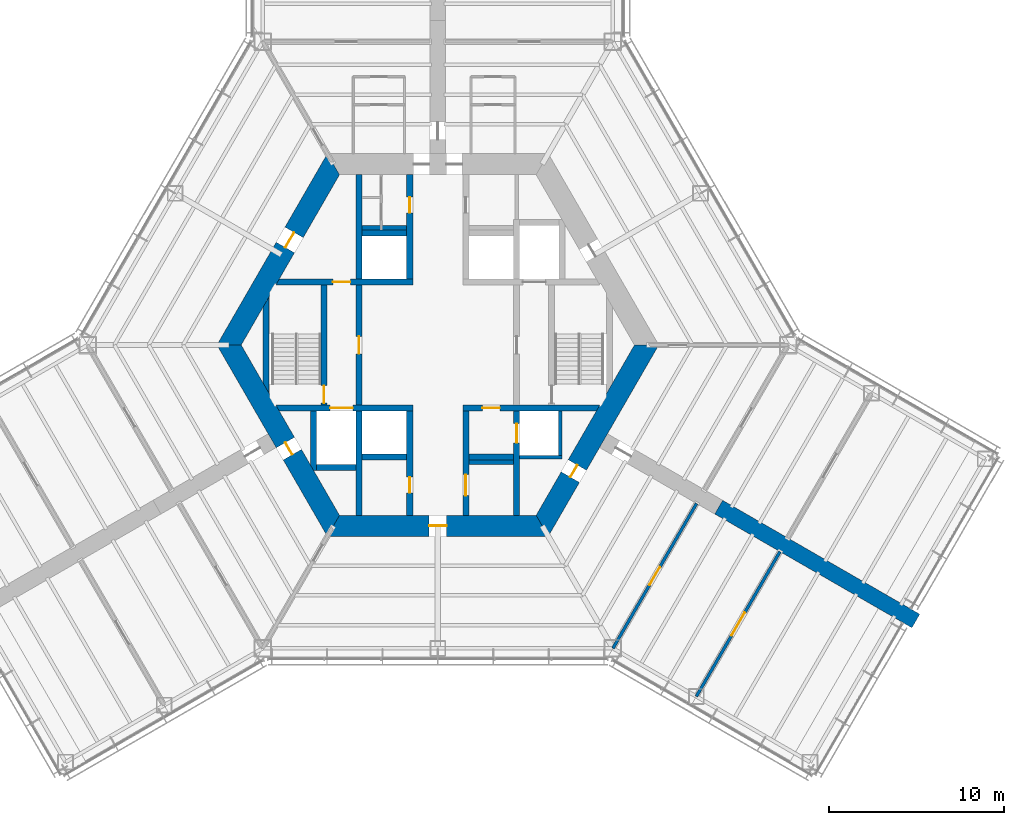
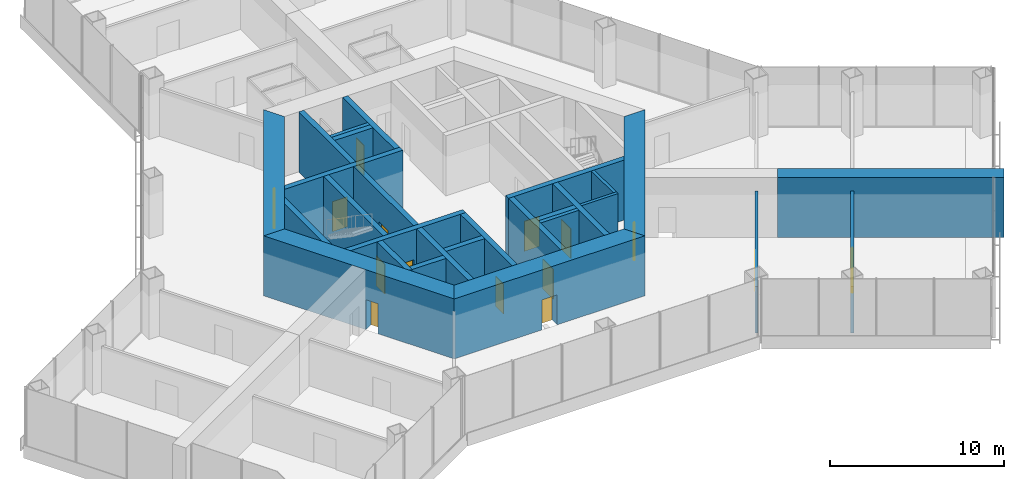
# One storey, part 11 of 15: 28 walls, 15 doors, 15 openings.
"""IFC4 building model written with IfcOpenShell, lengths in metres."""

import ifcopenshell
import ifcopenshell.guid

model = None  # the IFC model being written
_history = None  # IfcOwnerHistory: only IFC2X3 demands one
_inside = {}  # id of a spatial element -> (the spatial element, [elements in it])
_under = {}  # id of a project, library or spatial element -> (it, [spatial elements below it])
_declared = {}  # id of a project -> (the project, [libraries it declares])
_typed = {}  # id of a type object -> (the type object, [elements of that type])
_made_of = {}  # id of a material, layer set ... -> (it, [elements and type objects made of it])


def new_model(schema):
    """Start an empty IFC model of exactly this schema.

    Asked for "IFC4X3", IfcOpenShell would pick the latest addendum, in which some entities
    have other attributes; the version numbers below select the first issue.
    IFC2X3 requires an IfcOwnerHistory on every rooted entity: one is made here for all.
    """
    global model, _history
    if schema == "IFC4X3":
        model = ifcopenshell.file(schema_version=(4, 3, 0, 0))
    else:
        model = ifcopenshell.file(schema=schema)
    _inside.clear()
    _under.clear()
    _declared.clear()
    _typed.clear()
    _made_of.clear()
    _history = None
    if model.schema == "IFC2X3":
        org = make("IfcOrganization", Name="unknown")
        user = make(
            "IfcPersonAndOrganization",
            ThePerson=make("IfcPerson", FamilyName="unknown"),
            TheOrganization=org,
        )
        app = make(
            "IfcApplication",
            ApplicationDeveloper=org,
            Version="unknown",
            ApplicationFullName="unknown",
            ApplicationIdentifier="unknown",
        )
        _history = make(
            "IfcOwnerHistory",
            OwningUser=user,
            OwningApplication=app,
            ChangeAction="ADDED",
            CreationDate=0,
        )
    return model


def make(cls, **values):
    """One entity of the class cls with the attributes given. An attribute that is None is left unset."""
    return model.create_entity(
        cls, **{name: value for name, value in values.items() if value is not None}
    )


def rooted(cls, **values):
    """An entity with a GlobalId (a new one), such as an element, a storey or a relation."""
    return make(cls, GlobalId=ifcopenshell.guid.new(), OwnerHistory=_history, **values)


def si_unit(unit_type, name, prefix=None):
    """IfcSIUnit, for example si_unit("LENGTHUNIT", "METRE", prefix="MILLI")."""
    return make("IfcSIUnit", UnitType=unit_type, Prefix=prefix, Name=name)


def assignment(units):
    """IfcUnitAssignment: the units of a project."""
    return None if units is None else make("IfcUnitAssignment", Units=units)


def point(xyz):
    """IfcCartesianPoint."""
    return None if xyz is None else make("IfcCartesianPoint", Coordinates=xyz)


def direction(xyz):
    """IfcDirection."""
    return None if xyz is None else make("IfcDirection", DirectionRatios=xyz)


def frame(location, z_axis=None, x_axis=None):
    """IfcAxis2Placement3D, a coordinate frame: its origin and axes. An axis left out is left unset."""
    return make(
        "IfcAxis2Placement3D",
        Location=point(location),
        Axis=direction(z_axis),
        RefDirection=direction(x_axis),
    )


def frame_2d(location, x_axis=None):
    """IfcAxis2Placement2D, a coordinate frame in the plane: its origin and x axis."""
    return make(
        "IfcAxis2Placement2D", Location=point(location), RefDirection=direction(x_axis)
    )


def origin():
    """The frame at (0, 0, 0) with its axes left unset."""
    return frame((0.0, 0.0, 0.0))


def place(relative_to, where):
    """IfcLocalPlacement: puts the frame where relative to a parent placement (None: the world)."""
    return make(
        "IfcLocalPlacement", PlacementRelTo=relative_to, RelativePlacement=where
    )


def context(
    kind, dimensions, precision=None, world=None, true_north=None, identifier=None
):
    """IfcGeometricRepresentationContext, for example the 3D "Model" context."""
    return make(
        "IfcGeometricRepresentationContext",
        ContextIdentifier=identifier,
        ContextType=kind,
        CoordinateSpaceDimension=dimensions,
        Precision=precision,
        WorldCoordinateSystem=world,
        TrueNorth=true_north,
    )


def subcontext(parent, identifier, kind, view, scale=None):
    """IfcGeometricRepresentationSubContext, for example "Body" below "Model"."""
    return make(
        "IfcGeometricRepresentationSubContext",
        ContextIdentifier=identifier,
        ContextType=kind,
        ParentContext=parent,
        TargetScale=scale,
        TargetView=view,
    )


def project(units=None, contexts=None):
    """IfcProject with its units and contexts."""
    return rooted(
        "IfcProject",
        Name="project",
        RepresentationContexts=contexts,
        UnitsInContext=assignment(units),
    )


def spatial(cls, under=None, at=None, **own):
    """A site, building, storey or space (cls), placed at a placement, below another one or the project."""
    s = rooted(cls, ObjectPlacement=at, **own)
    if under is not None:
        _under.setdefault(under.id(), (under, []))[1].append(s)
    return s


def polyline(points):
    """IfcPolyline through the points."""
    return make("IfcPolyline", Points=[point(p) for p in points])


def profile(cls, at=None, kind="AREA", **sizes):
    """A parametric profile (cls). Its sizes go by their IFC names, for example OverallWidth=200.0."""
    return make(cls, ProfileType=kind, Position=at, **sizes)


def rectangle(**sizes):
    """IfcRectangleProfileDef."""
    return profile("IfcRectangleProfileDef", **sizes)


def outline(outer, holes=None, kind="AREA"):
    """IfcArbitraryClosedProfileDef: a profile drawn as a closed curve; with holes, ...WithVoids."""
    if holes is None:
        return make("IfcArbitraryClosedProfileDef", ProfileType=kind, OuterCurve=outer)
    return make(
        "IfcArbitraryProfileDefWithVoids",
        ProfileType=kind,
        OuterCurve=outer,
        InnerCurves=holes,
    )


def extrude(swept, where, along, depth):
    """IfcExtrudedAreaSolid: the profile swept, set in the frame where, extruded along a direction by depth."""
    return make(
        "IfcExtrudedAreaSolid",
        SweptArea=swept,
        Position=where,
        ExtrudedDirection=direction(along),
        Depth=depth,
    )


def shape(context_of_items, identifier, shape_type, items):
    """IfcShapeRepresentation: the items that make up one representation, for example the "Body"."""
    return make(
        "IfcShapeRepresentation",
        ContextOfItems=context_of_items,
        RepresentationIdentifier=identifier,
        RepresentationType=shape_type,
        Items=items,
    )


def material(Name=None, Category=None):
    """IfcMaterial."""
    return make("IfcMaterial", Name=Name, Category=Category)


def layer(
    of_material, thickness, ventilated=None, Name=None, Category=None, Priority=None
):
    """IfcMaterialLayer: one layer of a wall or slab, of a material (None: an air gap)."""
    return make(
        "IfcMaterialLayer",
        Material=of_material,
        LayerThickness=thickness,
        IsVentilated=ventilated,
        Name=Name,
        Category=Category,
        Priority=Priority,
    )


def layer_set(layers, Name=None):
    """IfcMaterialLayerSet."""
    return make("IfcMaterialLayerSet", MaterialLayers=layers, LayerSetName=Name)


def made_of(thing, what):
    """Note that an element or type object is made of a material, layer set ...; save() writes the relation."""
    if what is not None:
        _made_of.setdefault(what.id(), (what, []))[1].append(thing)
    return thing


def type_object(cls, material=None, **own):
    """A type object (cls), such as IfcWallType, which elements share."""
    return made_of(rooted(cls, **own), material)


def element(
    cls,
    number,
    at=None,
    inside=None,
    cuts=None,
    type_object=None,
    material=None,
    context=None,
    identifier="Body",
    shape_type=None,
    held_by="IfcProductDefinitionShape",
    body=None,
    shapes=None,
    **own,
):
    """One element of the class cls, such as IfcWall. Its Tag is "e" and its number.

    at: its placement. inside: the storey or other place that contains it. cuts: it is an
    opening in that element (IfcRelVoidsElement). A single representation is given by context,
    identifier, shape_type and body (its items); several are given by shapes. held_by: the class
    of the entity that holds the representations. save() writes the other relations.
    """
    e = rooted(cls, Tag="e%d" % number, ObjectPlacement=at, **own)
    if body is not None:
        shapes = [shape(context, identifier, shape_type, body)]
    if shapes is not None:
        e.Representation = make(held_by, Representations=shapes)
    if inside is not None:
        _inside.setdefault(inside.id(), (inside, []))[1].append(e)
    if cuts is not None:
        rooted(
            "IfcRelVoidsElement", RelatingBuildingElement=cuts, RelatedOpeningElement=e
        )
    if type_object is not None:
        _typed.setdefault(type_object.id(), (type_object, []))[1].append(e)
    return made_of(e, material)


def fill(opening, filler):
    """IfcRelFillsElement: the door or window that sits in an opening."""
    return rooted(
        "IfcRelFillsElement",
        RelatingOpeningElement=opening,
        RelatedBuildingElement=filler,
    )


def aggregate(whole, parts):
    """IfcRelAggregates: a whole, such as a stair, and the parts it consists of."""
    return rooted("IfcRelAggregates", RelatingObject=whole, RelatedObjects=parts)


def save(model, path):
    """Write the relations noted so far, then the file.

    IfcRelAggregates (storeys below a building ...), IfcRelContainedInSpatialStructure (elements
    in a storey), IfcRelDefinesByType, IfcRelAssociatesMaterial and IfcRelDeclares: one each for
    every whole, place, type object, material and project.
    """
    for whole, parts in _under.values():
        aggregate(whole, parts)
    for where, things in _inside.values():
        rooted(
            "IfcRelContainedInSpatialStructure",
            RelatedElements=things,
            RelatingStructure=where,
        )
    for kind, things in _typed.values():
        rooted("IfcRelDefinesByType", RelatedObjects=things, RelatingType=kind)
    for what, things in _made_of.values():
        rooted("IfcRelAssociatesMaterial", RelatedObjects=things, RelatingMaterial=what)
    for by, libraries in _declared.values():
        rooted("IfcRelDeclares", RelatingContext=by, RelatedDefinitions=libraries)
    model.write(path)


model = new_model("IFC4")

# Units and contexts
model_context = context("Model", 3, precision=1e-05, world=origin(), true_north=direction((0.0, 1.0)))
body_context = subcontext(model_context, "Body", "Model", "MODEL_VIEW")
ifc_project = project(units=[si_unit("LENGTHUNIT", "METRE"), si_unit("AREAUNIT", "SQUARE_METRE"), si_unit("VOLUMEUNIT", "CUBIC_METRE"), si_unit("PLANEANGLEUNIT", "RADIAN"), si_unit("MASSUNIT", "GRAM", prefix="KILO")], contexts=[model_context])

# Site, building, storey
site_placement = place(None, origin())
site = spatial("IfcSite", under=ifc_project, at=site_placement, CompositionType="ELEMENT")
building_placement = place(site_placement, origin())
building = spatial("IfcBuilding", under=site, at=building_placement, Name="Kasaneha Research Tower", CompositionType="ELEMENT")
storey_placement = place(building_placement, frame((0.0, 0.0, 31.0)))
storey = spatial("IfcBuildingStorey", under=building, at=storey_placement, Name="L08", CompositionType="ELEMENT", Elevation=31.0)

# Wall, opening, door
ifc_material_1 = material(Name="Concrete Fc100", Category="concrete")
ifc_layer_1 = layer(ifc_material_1, 0.35009765625)
ifc_layer_set_1 = layer_set([ifc_layer_1], Name="Core internal wall 350 Fc100")
wall_type_1 = type_object("IfcWallType", Name="Core internal wall 350 Fc100", PredefinedType="SHEAR", material=ifc_layer_set_1)
wall_1_placement = place(storey_placement, frame((-9.151123046875, 3.60009765625, 0.0), z_axis=(0.0, 0.0, 1.0), x_axis=(1.0, 0.0, 0.0)))
wall_1 = element("IfcWall", 1, at=wall_1_placement, inside=storey, type_object=wall_type_1, Name="Core wall W1W L08", PredefinedType="SHEAR", context=body_context, shape_type="SweptSolid", body=[
    extrude(outline(polyline([(-0.10107421875, -0.175048828125), (3.151123046875, -0.175048828125), (4.151123046875, -0.175048828125), (7.72607421875, -0.175048828125), (7.72607421875, 0.175048828125), (4.151123046875, 0.175048828125), (3.151123046875, 0.175048828125), (0.10107421875, 0.175048828125), (-0.10107421875, -0.175048828125)])), origin(), (0.0, 0.0, 1.0), 4.199951171875),
])
opening_1_placement = place(wall_1_placement, frame((3.151123046875, 0.0, 0.0)))
opening_1 = element("IfcOpeningElement", 2, at=opening_1_placement, cuts=wall_1, Name="Opening L08-D12", PredefinedType="OPENING", context=body_context, shape_type="SweptSolid", body=[
    extrude(rectangle(XDim=1.0, YDim=2.10009765625, at=frame_2d((0.5, 1.050048828125))), frame((0.0, 0.18505859375, 0.0), z_axis=(0.0, -1.0, 0.0), x_axis=(1.0, 0.0, 0.0)), (0.0, 0.0, 1.0), 0.3701171875),
])
ifc_material_2 = material(Name="Steel", Category="steel")
door_type_1 = type_object("IfcDoorType", Name="Specified fire door FD60 1000x2100", OperationType="NOTDEFINED", PredefinedType="DOOR", material=ifc_material_2)
door_1_placement = place(opening_1_placement, origin())
door_1 = element("IfcDoor", 3, at=door_1_placement, inside=storey, type_object=door_type_1, Name="Vestibule to lobby door L08-D12", OperationType="SINGLE_SWING_LEFT", OverallHeight=2.10009765625, OverallWidth=1.0, PredefinedType="DOOR", context=body_context, shape_type="SweptSolid", body=[
    extrude(rectangle(XDim=1.0, YDim=2.10009765625, at=frame_2d((0.5, 1.050048828125))), frame((0.0, 0.02490234375, 0.0), z_axis=(0.0, -1.0, 0.0), x_axis=(1.0, 0.0, 0.0)), (0.0, 0.0, 1.0), 0.050048828125),
])
fill(opening_1, door_1)

wall_2_placement = place(storey_placement, frame((-9.151123046875, -3.60009765625, 0.0), z_axis=(0.0, 0.0, 1.0), x_axis=(1.0, 0.0, 0.0)))
wall_2 = element("IfcWall", 4, at=wall_2_placement, inside=storey, type_object=wall_type_1, Name="Core wall W2W L08", PredefinedType="SHEAR", context=body_context, shape_type="SweptSolid", body=[
    extrude(outline(polyline([(0.10107421875, -0.175048828125), (3.0009765625, -0.175048828125), (4.301025390625, -0.175048828125), (7.72607421875, -0.175048828125), (7.72607421875, 0.175048828125), (4.301025390625, 0.175048828125), (3.0009765625, 0.175048828125), (-0.10107421875, 0.175048828125), (0.10107421875, -0.175048828125)])), origin(), (0.0, 0.0, 1.0), 4.199951171875),
])
opening_2_placement = place(wall_2_placement, frame((3.0009765625, 0.0, 0.0)))
opening_2 = element("IfcOpeningElement", 5, at=opening_2_placement, cuts=wall_2, Name="Opening LD-FL2-L08", PredefinedType="OPENING", context=body_context, shape_type="SweptSolid", body=[
    extrude(rectangle(XDim=1.300048828125, YDim=2.10009765625, at=frame_2d((0.64990234375, 1.050048828125))), frame((0.0, 0.18505859375, 0.0), z_axis=(0.0, -1.0, 0.0), x_axis=(1.0, 0.0, 0.0)), (0.0, 0.0, 1.0), 0.3701171875),
])
ifc_material_3 = material(Name="Steel", Category="steel")
door_type_2 = type_object("IfcDoorType", Name="Lift landing door 1300x2100", OperationType="DOUBLE_DOOR_SLIDING", PredefinedType="DOOR", material=ifc_material_3)
door_2_placement = place(opening_2_placement, origin())
door_2 = element("IfcDoor", 6, at=door_2_placement, inside=storey, type_object=door_type_2, Name="Landing door FL2 LD-FL2-L08", OperationType="DOUBLE_DOOR_SLIDING", OverallHeight=2.10009765625, OverallWidth=1.300048828125, PredefinedType="DOOR", context=body_context, shape_type="SweptSolid", body=[
    extrude(rectangle(XDim=1.300048828125, YDim=2.10009765625, at=frame_2d((0.64990234375, 1.050048828125))), frame((0.0, 0.02490234375, 0.0), z_axis=(0.0, -1.0, 0.0), x_axis=(1.0, 0.0, 0.0)), (0.0, 0.0, 1.0), 0.050048828125),
])
fill(opening_2, door_2)

wall_3_placement = place(storey_placement, frame((1.425048828125, -3.60009765625, 0.0), z_axis=(0.0, 0.0, 1.0), x_axis=(1.0, 0.0, 0.0)))
wall_3 = element("IfcWall", 7, at=wall_3_placement, inside=storey, type_object=wall_type_1, Name="Core wall W2E L08", PredefinedType="SHEAR", context=body_context, shape_type="SweptSolid", body=[
    extrude(outline(polyline([(0.0, -0.175048828125), (1.125, -0.175048828125), (2.125, -0.175048828125), (7.625, -0.175048828125), (7.8271484375, 0.175048828125), (2.125, 0.175048828125), (1.125, 0.175048828125), (0.0, 0.175048828125), (0.0, -0.175048828125)])), origin(), (0.0, 0.0, 1.0), 4.199951171875),
])
opening_3_placement = place(wall_3_placement, frame((1.125, 0.0, 0.0)))
opening_3 = element("IfcOpeningElement", 8, at=opening_3_placement, cuts=wall_3, Name="Opening L08-LV", PredefinedType="OPENING", context=body_context, shape_type="SweptSolid", body=[
    extrude(rectangle(XDim=1.0, YDim=2.10009765625, at=frame_2d((0.5, 1.050048828125))), frame((0.0, 0.18505859375, 0.0), z_axis=(0.0, -1.0, 0.0), x_axis=(1.0, 0.0, 0.0)), (0.0, 0.0, 1.0), 0.3701171875),
])
door_3_placement = place(opening_3_placement, origin())
door_3 = element("IfcDoor", 9, at=door_3_placement, inside=storey, type_object=door_type_1, Name="Podium vestibule door L08-LV", OperationType="SINGLE_SWING_LEFT", OverallHeight=2.10009765625, OverallWidth=1.0, PredefinedType="DOOR", context=body_context, shape_type="SweptSolid", body=[
    extrude(rectangle(XDim=1.0, YDim=2.10009765625, at=frame_2d((0.5, 1.050048828125))), frame((0.0, 0.02490234375, 0.0), z_axis=(0.0, -1.0, 0.0), x_axis=(1.0, 0.0, 0.0)), (0.0, 0.0, 1.0), 0.050048828125),
])
fill(opening_3, door_3)

wall_4_placement = place(storey_placement, frame((-1.60009765625, 3.77490234375, 0.0), z_axis=(0.0, 0.0, 1.0), x_axis=(0.0, 1.0, 0.0)))
wall_4 = element("IfcWall", 10, at=wall_4_placement, inside=storey, type_object=wall_type_1, Name="Core wall CNW L08", PredefinedType="SHEAR", context=body_context, shape_type="SweptSolid", body=[
    extrude(rectangle(XDim=5.9501953125, YDim=0.35009765625, at=frame_2d((2.97509765625, 0.0))), origin(), (0.0, 0.0, 1.0), 4.199951171875),
])
opening_4_placement = place(wall_4_placement, frame((3.77490234375, 0.0, 0.0)))
opening_4 = element("IfcOpeningElement", 11, at=opening_4_placement, cuts=wall_4, Name="Opening L08-D13", PredefinedType="OPENING", context=body_context, shape_type="SweptSolid", body=[
    extrude(rectangle(XDim=0.89990234375, YDim=2.10009765625, at=frame_2d((0.449951171875, 1.050048828125))), frame((0.0, 0.18505859375, 0.0), z_axis=(0.0, -1.0, 0.0), x_axis=(1.0, 0.0, 0.0)), (0.0, 0.0, 1.0), 0.3701171875),
])
ifc_material_4 = material(Name="Steel", Category="steel")
door_type_3 = type_object("IfcDoorType", Name="Toilet door FD20 900x2100", OperationType="NOTDEFINED", PredefinedType="DOOR", material=ifc_material_4)
door_4_placement = place(opening_4_placement, origin())
door_4 = element("IfcDoor", 12, at=door_4_placement, inside=storey, type_object=door_type_3, Name="Men's WC door L08-D13", OperationType="SINGLE_SWING_LEFT", OverallHeight=2.10009765625, OverallWidth=0.89990234375, PredefinedType="DOOR", context=body_context, shape_type="SweptSolid", body=[
    extrude(rectangle(XDim=0.89990234375, YDim=2.10009765625, at=frame_2d((0.449951171875, 1.050048828125))), frame((0.0, 0.02490234375, 0.0), z_axis=(0.0, -1.0, 0.0), x_axis=(1.0, 0.0, 0.0)), (0.0, 0.0, 1.0), 0.050048828125),
])
fill(opening_4, door_4)

wall_5_placement = place(storey_placement, frame((-1.60009765625, -3.77490234375, 0.0), z_axis=(0.0, 0.0, 1.0), x_axis=(0.0, -1.0, 0.0)))
wall_5 = element("IfcWall", 13, at=wall_5_placement, inside=storey, type_object=wall_type_1, Name="Core wall CSW L08", PredefinedType="SHEAR", context=body_context, shape_type="SweptSolid", body=[
    extrude(rectangle(XDim=5.9501953125, YDim=0.35009765625, at=frame_2d((2.97509765625, 0.0))), origin(), (0.0, 0.0, 1.0), 4.199951171875),
])
opening_5_placement = place(wall_5_placement, frame((3.77490234375, 0.0, 0.0)))
opening_5 = element("IfcOpeningElement", 14, at=opening_5_placement, cuts=wall_5, Name="Opening L08-D16", PredefinedType="OPENING", context=body_context, shape_type="SweptSolid", body=[
    extrude(rectangle(XDim=0.89990234375, YDim=2.10009765625, at=frame_2d((0.449951171875, 1.050048828125))), frame((0.0, 0.18505859375, 0.0), z_axis=(0.0, -1.0, 0.0), x_axis=(1.0, 0.0, 0.0)), (0.0, 0.0, 1.0), 0.3701171875),
])
ifc_material_5 = material(Name="Steel", Category="steel")
door_type_4 = type_object("IfcDoorType", Name="Riser access door FD60 900x2100", OperationType="NOTDEFINED", PredefinedType="DOOR", material=ifc_material_5)
door_5_placement = place(opening_5_placement, origin())
door_5 = element("IfcDoor", 15, at=door_5_placement, inside=storey, type_object=door_type_4, Name="Electrical riser door L08-D16", OperationType="SINGLE_SWING_LEFT", OverallHeight=2.10009765625, OverallWidth=0.89990234375, PredefinedType="DOOR", context=body_context, shape_type="SweptSolid", body=[
    extrude(rectangle(XDim=0.89990234375, YDim=2.10009765625, at=frame_2d((0.449951171875, 1.050048828125))), frame((0.0, 0.02490234375, 0.0), z_axis=(0.0, -1.0, 0.0), x_axis=(1.0, 0.0, 0.0)), (0.0, 0.0, 1.0), 0.050048828125),
])
fill(opening_5, door_5)

wall_6_placement = place(storey_placement, frame((1.60009765625, -3.77490234375, 0.0), z_axis=(0.0, 0.0, 1.0), x_axis=(0.0, -1.0, 0.0)))
wall_6 = element("IfcWall", 16, at=wall_6_placement, inside=storey, type_object=wall_type_1, Name="Core wall CSE L08", PredefinedType="SHEAR", context=body_context, shape_type="SweptSolid", body=[
    extrude(rectangle(XDim=5.9501953125, YDim=0.35009765625, at=frame_2d((2.97509765625, 0.0))), origin(), (0.0, 0.0, 1.0), 4.199951171875),
])
opening_6_placement = place(wall_6_placement, frame((3.625, 0.0, 0.0)))
opening_6 = element("IfcOpeningElement", 17, at=opening_6_placement, cuts=wall_6, Name="Opening L08-D15", PredefinedType="OPENING", context=body_context, shape_type="SweptSolid", body=[
    extrude(rectangle(XDim=1.199951171875, YDim=2.10009765625, at=frame_2d((0.60009765625, 1.050048828125))), frame((0.0, 0.18505859375, 0.0), z_axis=(0.0, -1.0, 0.0), x_axis=(1.0, 0.0, 0.0)), (0.0, 0.0, 1.0), 0.3701171875),
])
ifc_material_6 = material(Name="Steel", Category="steel")
door_type_5 = type_object("IfcDoorType", Name="Accessible toilet sliding door FD20 1200x2100", OperationType="SLIDING_TO_LEFT", PredefinedType="DOOR", material=ifc_material_6)
door_6_placement = place(opening_6_placement, origin())
door_6 = element("IfcDoor", 18, at=door_6_placement, inside=storey, type_object=door_type_5, Name="Accessible WC door L08-D15", OperationType="SLIDING_TO_LEFT", OverallHeight=2.10009765625, OverallWidth=1.199951171875, PredefinedType="DOOR", context=body_context, shape_type="SweptSolid", body=[
    extrude(rectangle(XDim=1.199951171875, YDim=2.10009765625, at=frame_2d((0.60009765625, 1.050048828125))), frame((0.0, 0.02490234375, 0.0), z_axis=(0.0, -1.0, 0.0), x_axis=(1.0, 0.0, 0.0)), (0.0, 0.0, 1.0), 0.050048828125),
])
fill(opening_6, door_6)

wall_7_placement = place(storey_placement, frame((-4.5, -3.425048828125, 0.0), z_axis=(0.0, 0.0, 1.0), x_axis=(0.0, 1.0, 0.0)))
wall_7 = element("IfcWall", 19, at=wall_7_placement, inside=storey, type_object=wall_type_1, Name="Core wall LBW L08", PredefinedType="SHEAR", context=body_context, shape_type="SweptSolid", body=[
    extrude(rectangle(XDim=6.85009765625, YDim=0.35009765625, at=frame_2d((3.425048828125, 0.0))), origin(), (0.0, 0.0, 1.0), 4.199951171875),
])
opening_7_placement = place(wall_7_placement, frame((2.925048828125, 0.0, 0.0)))
opening_7 = element("IfcOpeningElement", 20, at=opening_7_placement, cuts=wall_7, Name="Opening L08-D09", PredefinedType="OPENING", context=body_context, shape_type="SweptSolid", body=[
    extrude(rectangle(XDim=1.0, YDim=2.10009765625, at=frame_2d((0.5, 1.050048828125))), frame((0.0, 0.18505859375, 0.0), z_axis=(0.0, -1.0, 0.0), x_axis=(1.0, 0.0, 0.0)), (0.0, 0.0, 1.0), 0.3701171875),
])
door_7_placement = place(opening_7_placement, origin())
door_7 = element("IfcDoor", 21, at=door_7_placement, inside=storey, type_object=door_type_1, Name="Lift lobby door west L08-D09", OperationType="SINGLE_SWING_LEFT", OverallHeight=2.10009765625, OverallWidth=1.0, PredefinedType="DOOR", context=body_context, shape_type="SweptSolid", body=[
    extrude(rectangle(XDim=1.0, YDim=2.10009765625, at=frame_2d((0.5, 1.050048828125))), frame((0.0, 0.02490234375, 0.0), z_axis=(0.0, -1.0, 0.0), x_axis=(1.0, 0.0, 0.0)), (0.0, 0.0, 1.0), 0.050048828125),
])
fill(opening_7, door_7)

wall_8_placement = place(storey_placement, frame((-6.5, -3.425048828125, 0.0), z_axis=(0.0, 0.0, 1.0), x_axis=(0.0, 1.0, 0.0)))
wall_8 = element("IfcWall", 22, at=wall_8_placement, inside=storey, type_object=wall_type_1, Name="Core wall ANW L08", PredefinedType="SHEAR", context=body_context, shape_type="SweptSolid", body=[
    extrude(rectangle(XDim=6.85009765625, YDim=0.35009765625, at=frame_2d((3.425048828125, 0.0))), origin(), (0.0, 0.0, 1.0), 4.199951171875),
])
opening_8_placement = place(wall_8_placement, frame((0.10009765625, 0.0, 0.0)))
opening_8 = element("IfcOpeningElement", 23, at=opening_8_placement, cuts=wall_8, Name="Opening L08-D11", PredefinedType="OPENING", context=body_context, shape_type="SweptSolid", body=[
    extrude(rectangle(XDim=1.0, YDim=2.10009765625, at=frame_2d((0.5, 1.050048828125))), frame((0.0, 0.18505859375, 0.0), z_axis=(0.0, -1.0, 0.0), x_axis=(1.0, 0.0, 0.0)), (0.0, 0.0, 1.0), 0.3701171875),
])
door_8_placement = place(opening_8_placement, origin())
door_8 = element("IfcDoor", 24, at=door_8_placement, inside=storey, type_object=door_type_1, Name="Stair 2 door L08-D11", OperationType="SINGLE_SWING_LEFT", OverallHeight=2.10009765625, OverallWidth=1.0, PredefinedType="DOOR", context=body_context, shape_type="SweptSolid", body=[
    extrude(rectangle(XDim=1.0, YDim=2.10009765625, at=frame_2d((0.5, 1.050048828125))), frame((0.0, 0.02490234375, 0.0), z_axis=(0.0, -1.0, 0.0), x_axis=(1.0, 0.0, 0.0)), (0.0, 0.0, 1.0), 0.050048828125),
])
fill(opening_8, door_8)

# Walls
for number, where, z_axis, x_axis, name in (
    (25, (-4.5, 3.77490234375, 0.0), (0.0, 0.0, 1.0), (0.0, 1.0, 0.0), "Core wall VNW L08"),
    (26, (-4.5, -3.77490234375, 0.0), (0.0, 0.0, 1.0), (0.0, -1.0, 0.0), "Core wall SSW L08"),
):
    element("IfcWall", number, at=place(storey_placement, frame(where, z_axis=z_axis, x_axis=x_axis)), inside=storey, type_object=wall_type_1, Name=name, PredefinedType="SHEAR", context=body_context, shape_type="SweptSolid", body=[
        extrude(rectangle(XDim=5.9501953125, YDim=0.35009765625, at=frame_2d((2.97509765625, 0.0))), origin(), (0.0, 0.0, 1.0), 4.199951171875),
    ])

# Wall, opening, door
wall_9_placement = place(storey_placement, frame((4.5, -3.77490234375, 0.0), z_axis=(0.0, 0.0, 1.0), x_axis=(0.0, -1.0, 0.0)))
wall_9 = element("IfcWall", 27, at=wall_9_placement, inside=storey, type_object=wall_type_1, Name="Core wall SSE L08", PredefinedType="SHEAR", context=body_context, shape_type="SweptSolid", body=[
    extrude(rectangle(XDim=5.9501953125, YDim=0.35009765625, at=frame_2d((2.97509765625, 0.0))), origin(), (0.0, 0.0, 1.0), 4.199951171875),
])
opening_9_placement = place(wall_9_placement, frame((0.71240234375, 0.0, 0.0)))
opening_9 = element("IfcOpeningElement", 28, at=opening_9_placement, cuts=wall_9, Name="Opening LD-PL1-L08", PredefinedType="OPENING", context=body_context, shape_type="SweptSolid", body=[
    extrude(rectangle(XDim=1.10009765625, YDim=2.10009765625, at=frame_2d((0.550048828125, 1.050048828125))), frame((0.0, 0.18505859375, 0.0), z_axis=(0.0, -1.0, 0.0), x_axis=(1.0, 0.0, 0.0)), (0.0, 0.0, 1.0), 0.3701171875),
])
ifc_material_7 = material(Name="Steel", Category="steel")
door_type_6 = type_object("IfcDoorType", Name="Lift landing door 1100x2100", OperationType="DOUBLE_DOOR_SLIDING", PredefinedType="DOOR", material=ifc_material_7)
door_9_placement = place(opening_9_placement, origin())
door_9 = element("IfcDoor", 29, at=door_9_placement, inside=storey, type_object=door_type_6, Name="Landing door PL1 LD-PL1-L08", OperationType="DOUBLE_DOOR_SLIDING", OverallHeight=2.10009765625, OverallWidth=1.10009765625, PredefinedType="DOOR", context=body_context, shape_type="SweptSolid", body=[
    extrude(rectangle(XDim=1.10009765625, YDim=2.10009765625, at=frame_2d((0.550048828125, 1.050048828125))), frame((0.0, 0.02490234375, 0.0), z_axis=(0.0, -1.0, 0.0), x_axis=(1.0, 0.0, 0.0)), (0.0, 0.0, 1.0), 0.050048828125),
])
fill(opening_9, door_9)

# Walls
for number, where, z_axis, x_axis, name in (
    (30, (-4.324951171875, 6.39990234375, 0.0), (0.0, 0.0, 1.0), (1.0, 0.0, 0.0), "Core wall N1N L08"),
    (31, (-4.324951171875, -6.39990234375, 0.0), (0.0, 0.0, 1.0), (1.0, 0.0, 0.0), "Core wall S1S L08"),
    (32, (1.77490234375, -6.39990234375, 0.0), (0.0, 0.0, 1.0), (1.0, 0.0, 0.0), "Core wall S3S L08"),
):
    element("IfcWall", number, at=place(storey_placement, frame(where, z_axis=z_axis, x_axis=x_axis)), inside=storey, type_object=wall_type_1, Name=name, PredefinedType="SHEAR", context=body_context, shape_type="SweptSolid", body=[
        extrude(rectangle(XDim=2.550048828125, YDim=0.35009765625, at=frame_2d((1.27490234375, 0.0))), origin(), (0.0, 0.0, 1.0), 4.199951171875),
    ])
wall_10_placement = place(storey_placement, frame((-6.925048828125, -7.0, 0.0), z_axis=(0.0, 0.0, 1.0), x_axis=(1.0, 0.0, 0.0)))
element("IfcWall", 33, at=wall_10_placement, inside=storey, type_object=wall_type_1, Name="Core wall F2S L08", PredefinedType="SHEAR", context=body_context, shape_type="SweptSolid", body=[
    extrude(rectangle(XDim=2.25, YDim=0.35009765625, at=frame_2d((1.125, 0.0))), origin(), (0.0, 0.0, 1.0), 4.199951171875),
])
wall_11_placement = place(storey_placement, frame((-7.10009765625, -3.77490234375, 0.0), z_axis=(0.0, 0.0, 1.0), x_axis=(0.0, -1.0, 0.0)))
element("IfcWall", 34, at=wall_11_placement, inside=storey, type_object=wall_type_1, Name="Core wall F2W L08", PredefinedType="SHEAR", context=body_context, shape_type="SweptSolid", body=[
    extrude(outline(polyline([(0.0, -0.175048828125), (3.07421875, -0.175048828125), (3.37744140625, 0.0), (3.39990234375, 0.175048828125), (0.0, 0.175048828125), (0.0, -0.175048828125)])), origin(), (0.0, 0.0, 1.0), 4.199951171875),
])
wall_12_placement = place(storey_placement, frame((-9.807861328125, -2.462158203125, 0.0), z_axis=(0.0, 0.0, 1.0), x_axis=(0.0, 1.0, 0.0)))
element("IfcWall", 35, at=wall_12_placement, inside=storey, type_object=wall_type_1, Name="Core wall STW L08", PredefinedType="SHEAR", context=body_context, shape_type="SweptSolid", body=[
    extrude(outline(polyline([(-0.30322265625, -0.175048828125), (5.2275390625, -0.175048828125), (4.62109375, 0.175048828125), (0.30322265625, 0.175048828125), (-0.30322265625, -0.175048828125)])), origin(), (0.0, 0.0, 1.0), 4.199951171875),
])

# Wall, opening, door
ifc_material_8 = material(Name="Concrete Fc100", Category="concrete")
ifc_layer_2 = layer(ifc_material_8, 1.199951171875)
ifc_layer_set_2 = layer_set([ifc_layer_2], Name="Core wall 1200 Fc100")
wall_type_2 = type_object("IfcWallType", Name="Core wall 1200 Fc100", PredefinedType="SHEAR", material=ifc_layer_set_2)
wall_13_placement = place(storey_placement, frame((-5.961181640625, 10.324951171875, 0.0), z_axis=(0.0, 0.0, 1.0), x_axis=(-0.500004296715, -0.866022923061, 0.0)))
wall_13 = element("IfcWall", 36, at=wall_13_placement, inside=storey, type_object=wall_type_2, Name="Core wall 150 L08", PredefinedType="SHEAR", context=body_context, shape_type="SweptSolid", body=[
    extrude(outline(polyline([(-0.346435546875, -0.60009765625), (4.494140625, -0.60009765625), (5.494140625, -0.60009765625), (12.268798828125, -0.60009765625), (11.575927734375, 0.60009765625), (5.494140625, 0.60009765625), (4.494140625, 0.60009765625), (0.346435546875, 0.60009765625), (-0.346435546875, -0.60009765625)])), origin(), (0.0, 0.0, 1.0), 4.199951171875),
])
opening_10_placement = place(wall_13_placement, frame((4.494140625, 0.0, 0.0)))
opening_10 = element("IfcOpeningElement", 37, at=opening_10_placement, cuts=wall_13, Name="Opening L08-D07", PredefinedType="OPENING", context=body_context, shape_type="SweptSolid", body=[
    extrude(rectangle(XDim=1.0, YDim=2.10009765625, at=frame_2d((0.5, 1.050048828125))), frame((0.0, 0.60986328125, 0.0), z_axis=(0.0, -1.0, 0.0), x_axis=(1.0, 0.0, 0.0)), (0.0, 0.0, 1.0), 1.219970703125),
])
ifc_material_9 = material(Name="Steel", Category="steel")
door_type_7 = type_object("IfcDoorType", Name="Fire door FD20 1000x2100", OperationType="NOTDEFINED", PredefinedType="DOOR", material=ifc_material_9)
door_10_placement = place(opening_10_placement, origin())
door_10 = element("IfcDoor", 38, at=door_10_placement, inside=storey, type_object=door_type_7, Name="Vestibule door L08-D07", OperationType="SINGLE_SWING_LEFT", OverallHeight=2.10009765625, OverallWidth=1.0, PredefinedType="DOOR", context=body_context, shape_type="SweptSolid", body=[
    extrude(rectangle(XDim=1.0, YDim=2.10009765625, at=frame_2d((0.5, 1.050048828125))), frame((0.0, 0.02490234375, 0.0), z_axis=(0.0, -1.0, 0.0), x_axis=(1.0, 0.0, 0.0)), (0.0, 0.0, 1.0), 0.050048828125),
])
fill(opening_10, door_10)

wall_14_placement = place(storey_placement, frame((-11.92236328125, 0.0, 0.0), z_axis=(0.0, 0.0, 1.0), x_axis=(0.500004296715, -0.866022923061, 0.0)))
wall_14 = element("IfcWall", 39, at=wall_14_placement, inside=storey, type_object=wall_type_2, Name="Core wall 210 L08", PredefinedType="SHEAR", context=body_context, shape_type="SweptSolid", body=[
    extrude(outline(polyline([(-0.346435546875, -0.60009765625), (6.43115234375, -0.60009765625), (7.231201171875, -0.60009765625), (12.268798828125, -0.60009765625), (11.575927734375, 0.60009765625), (7.231201171875, 0.60009765625), (6.43115234375, 0.60009765625), (0.346435546875, 0.60009765625), (-0.346435546875, -0.60009765625)])), origin(), (0.0, 0.0, 1.0), 4.199951171875),
])
opening_11_placement = place(wall_14_placement, frame((6.43115234375, 0.0, 0.0)))
opening_11 = element("IfcOpeningElement", 40, at=opening_11_placement, cuts=wall_14, Name="Opening L08-D06", PredefinedType="OPENING", context=body_context, shape_type="SweptSolid", body=[
    extrude(rectangle(XDim=0.800048828125, YDim=2.10009765625, at=frame_2d((0.39990234375, 1.050048828125))), frame((0.0, 0.60986328125, 0.0), z_axis=(0.0, -1.0, 0.0), x_axis=(1.0, 0.0, 0.0)), (0.0, 0.0, 1.0), 1.219970703125),
])
ifc_material_10 = material(Name="Steel", Category="steel")
door_type_8 = type_object("IfcDoorType", Name="Riser access door FD60 800x2100", OperationType="NOTDEFINED", PredefinedType="DOOR", material=ifc_material_10)
door_11_placement = place(opening_11_placement, origin())
door_11 = element("IfcDoor", 41, at=door_11_placement, inside=storey, type_object=door_type_8, Name="Duct riser door L08-D06", OperationType="SINGLE_SWING_RIGHT", OverallHeight=2.10009765625, OverallWidth=0.800048828125, PredefinedType="DOOR", context=body_context, shape_type="SweptSolid", body=[
    extrude(rectangle(XDim=0.800048828125, YDim=2.10009765625, at=frame_2d((0.39990234375, 1.050048828125))), frame((0.0, 0.02490234375, 0.0), z_axis=(0.0, -1.0, 0.0), x_axis=(1.0, 0.0, 0.0)), (0.0, 0.0, 1.0), 0.050048828125),
])
fill(opening_11, door_11)

wall_15_placement = place(storey_placement, frame((-5.961181640625, -10.324951171875, 0.0), z_axis=(0.0, 0.0, 1.0), x_axis=(1.0, 0.0, 0.0)))
wall_15 = element("IfcWall", 42, at=wall_15_placement, inside=storey, type_object=wall_type_2, Name="Core wall 270 L08", PredefinedType="SHEAR", context=body_context, shape_type="SweptSolid", body=[
    extrude(outline(polyline([(-0.346435546875, -0.60009765625), (5.461181640625, -0.60009765625), (6.461181640625, -0.60009765625), (12.268798828125, -0.60009765625), (11.575927734375, 0.60009765625), (6.461181640625, 0.60009765625), (5.461181640625, 0.60009765625), (0.346435546875, 0.60009765625), (-0.346435546875, -0.60009765625)])), origin(), (0.0, 0.0, 1.0), 4.199951171875),
])
opening_12_placement = place(wall_15_placement, frame((5.461181640625, 0.0, 0.0)))
opening_12 = element("IfcOpeningElement", 43, at=opening_12_placement, cuts=wall_15, Name="Opening L08-D03", PredefinedType="OPENING", context=body_context, shape_type="SweptSolid", body=[
    extrude(rectangle(XDim=1.0, YDim=2.10009765625, at=frame_2d((0.5, 1.050048828125))), frame((0.0, 0.60986328125, 0.0), z_axis=(0.0, -1.0, 0.0), x_axis=(1.0, 0.0, 0.0)), (0.0, 0.0, 1.0), 1.219970703125),
])
door_12_placement = place(opening_12_placement, origin())
door_12 = element("IfcDoor", 44, at=door_12_placement, inside=storey, type_object=door_type_7, Name="Core door south L08-D03", OperationType="SINGLE_SWING_LEFT", OverallHeight=2.10009765625, OverallWidth=1.0, PredefinedType="DOOR", context=body_context, shape_type="SweptSolid", body=[
    extrude(rectangle(XDim=1.0, YDim=2.10009765625, at=frame_2d((0.5, 1.050048828125))), frame((0.0, 0.02490234375, 0.0), z_axis=(0.0, -1.0, 0.0), x_axis=(1.0, 0.0, 0.0)), (0.0, 0.0, 1.0), 0.050048828125),
])
fill(opening_12, door_12)

wall_16_placement = place(storey_placement, frame((5.961181640625, -10.324951171875, 0.0), z_axis=(0.0, 0.0, 1.0), x_axis=(0.500004296715, 0.866022923061, 0.0)))
wall_16 = element("IfcWall", 45, at=wall_16_placement, inside=storey, type_object=wall_type_2, Name="Core wall 330 L08", PredefinedType="SHEAR", context=body_context, shape_type="SweptSolid", body=[
    extrude(outline(polyline([(-0.346435546875, -0.60009765625), (3.20849609375, -0.60009765625), (4.008544921875, -0.60009765625), (12.268798828125, -0.60009765625), (11.575927734375, 0.60009765625), (4.008544921875, 0.60009765625), (3.20849609375, 0.60009765625), (0.346435546875, 0.60009765625), (-0.346435546875, -0.60009765625)])), origin(), (0.0, 0.0, 1.0), 4.199951171875),
])
opening_13_placement = place(wall_16_placement, frame((3.20849609375, 0.0, 0.0)))
opening_13 = element("IfcOpeningElement", 46, at=opening_13_placement, cuts=wall_16, Name="Opening L08-D05", PredefinedType="OPENING", context=body_context, shape_type="SweptSolid", body=[
    extrude(rectangle(XDim=0.800048828125, YDim=2.10009765625, at=frame_2d((0.39990234375, 1.050048828125))), frame((0.0, 0.60986328125, 0.0), z_axis=(0.0, -1.0, 0.0), x_axis=(1.0, 0.0, 0.0)), (0.0, 0.0, 1.0), 1.219970703125),
])
door_13_placement = place(opening_13_placement, origin())
door_13 = element("IfcDoor", 47, at=door_13_placement, inside=storey, type_object=door_type_8, Name="Pipe riser door L08-D05", OperationType="SINGLE_SWING_LEFT", OverallHeight=2.10009765625, OverallWidth=0.800048828125, PredefinedType="DOOR", context=body_context, shape_type="SweptSolid", body=[
    extrude(rectangle(XDim=0.800048828125, YDim=2.10009765625, at=frame_2d((0.39990234375, 1.050048828125))), frame((0.0, 0.02490234375, 0.0), z_axis=(0.0, -1.0, 0.0), x_axis=(1.0, 0.0, 0.0)), (0.0, 0.0, 1.0), 0.050048828125),
])
fill(opening_13, door_13)

ifc_material_11 = material(Name="Gypsum board on steel studs, two layers each side", Category="steel")
ifc_layer_3 = layer(ifc_material_11, 0.175048828125)
ifc_layer_set_3 = layer_set([ifc_layer_3], Name="Laboratory fire partition 175")
wall_type_3 = type_object("IfcWallType", Name="Laboratory fire partition 175", PredefinedType="PARTITIONING", material=ifc_layer_set_3)
wall_17_placement = place(storey_placement, frame((14.77490234375, -9.050048828125, 0.0), z_axis=(0.0, 0.0, 1.0), x_axis=(-0.499993908199, -0.866028920859, 0.0)))
wall_17 = element("IfcWall", 48, at=wall_17_placement, inside=storey, type_object=wall_type_3, Name="Laboratory fire partition LABC-S L08", PredefinedType="PARTITIONING", context=body_context, shape_type="SweptSolid", body=[
    extrude(rectangle(XDim=9.5498046875, YDim=0.175048828125, at=frame_2d((4.77490234375, 0.0))), origin(), (0.0, 0.0, 1.0), 3.238037109375),
])
opening_14_placement = place(wall_17_placement, frame((4.175048828125, 0.0, 0.0)))
opening_14 = element("IfcOpeningElement", 49, at=opening_14_placement, cuts=wall_17, Name="Opening L08-D39", PredefinedType="OPENING", context=body_context, shape_type="SweptSolid", body=[
    extrude(rectangle(XDim=1.199951171875, YDim=2.10009765625, at=frame_2d((0.60009765625, 1.050048828125))), frame((0.0, 0.09765625, 0.0), z_axis=(0.0, -1.0, 0.0), x_axis=(1.0, 0.0, 0.0)), (0.0, 0.0, 1.0), 0.195068359375),
])
ifc_material_12 = material(Name="Steel", Category="steel")
door_type_9 = type_object("IfcDoorType", Name="Laboratory door FD60 1200x2100", OperationType="DOUBLE_DOOR_SINGLE_SWING", PredefinedType="DOOR", material=ifc_material_12)
door_14_placement = place(opening_14_placement, origin())
door_14 = element("IfcDoor", 50, at=door_14_placement, inside=storey, type_object=door_type_9, Name="Laboratory door L08-D39", OperationType="DOUBLE_DOOR_SINGLE_SWING", OverallHeight=2.10009765625, OverallWidth=1.199951171875, PredefinedType="DOOR", context=body_context, shape_type="SweptSolid", body=[
    extrude(rectangle(XDim=1.199951171875, YDim=2.10009765625, at=frame_2d((0.60009765625, 1.050048828125))), frame((0.0, 0.02490234375, 0.0), z_axis=(0.0, -1.0, 0.0), x_axis=(1.0, 0.0, 0.0)), (0.0, 0.0, 1.0), 0.050048828125),
])
fill(opening_14, door_14)

wall_18_placement = place(storey_placement, frame((19.5380859375, -11.800048828125, 0.0), z_axis=(0.0, 0.0, 1.0), x_axis=(-0.499993908199, -0.866028920859, 0.0)))
wall_18 = element("IfcWall", 51, at=wall_18_placement, inside=storey, type_object=wall_type_3, Name="Laboratory fire partition INSC-S L08", PredefinedType="PARTITIONING", context=body_context, shape_type="SweptSolid", body=[
    extrude(rectangle(XDim=9.5498046875, YDim=0.175048828125, at=frame_2d((4.77490234375, 0.0))), origin(), (0.0, 0.0, 1.0), 3.22998046875),
])
opening_15_placement = place(wall_18_placement, frame((4.02490234375, 0.0, 0.0)))
opening_15 = element("IfcOpeningElement", 52, at=opening_15_placement, cuts=wall_18, Name="Opening L08-D40", PredefinedType="OPENING", context=body_context, shape_type="SweptSolid", body=[
    extrude(rectangle(XDim=1.5, YDim=2.10009765625, at=frame_2d((0.75, 1.050048828125))), frame((0.0, 0.09765625, 0.0), z_axis=(0.0, -1.0, 0.0), x_axis=(1.0, 0.0, 0.0)), (0.0, 0.0, 1.0), 0.195068359375),
])
ifc_material_13 = material(Name="Steel", Category="steel")
door_type_10 = type_object("IfcDoorType", Name="Laboratory door FD60 1500x2100", OperationType="DOUBLE_DOOR_SINGLE_SWING", PredefinedType="DOOR", material=ifc_material_13)
door_15_placement = place(opening_15_placement, origin())
door_15 = element("IfcDoor", 53, at=door_15_placement, inside=storey, type_object=door_type_10, Name="Instrument room door L08-D40", OperationType="DOUBLE_DOOR_SINGLE_SWING", OverallHeight=2.10009765625, OverallWidth=1.5, PredefinedType="DOOR", context=body_context, shape_type="SweptSolid", body=[
    extrude(rectangle(XDim=1.5, YDim=2.10009765625, at=frame_2d((0.75, 1.050048828125))), frame((0.0, 0.02490234375, 0.0), z_axis=(0.0, -1.0, 0.0), x_axis=(1.0, 0.0, 0.0)), (0.0, 0.0, 1.0), 0.050048828125),
])
fill(opening_15, door_15)

# Walls
ifc_material_14 = material(Name="Concrete block", Category="concrete")
ifc_layer_4 = layer(ifc_material_14, 0.199951171875)
ifc_layer_set_4 = layer_set([ifc_layer_4], Name="Lift shaft wall 200")
wall_type_4 = type_object("IfcWallType", Name="Lift shaft wall 200", PredefinedType="STANDARD", material=ifc_layer_set_4)
wall_19_placement = place(storey_placement, frame((4.675048828125, -6.39990234375, 0.0), z_axis=(0.0, 0.0, 1.0), x_axis=(1.0, 0.0, 0.0)))
element("IfcWall", 54, at=wall_19_placement, inside=storey, type_object=wall_type_4, Name="Lift shaft wall P1S L08", PredefinedType="STANDARD", context=body_context, shape_type="SweptSolid", body=[
    extrude(rectangle(XDim=2.425048828125, YDim=0.199951171875, at=frame_2d((1.21240234375, 0.0))), origin(), (0.0, 0.0, 1.0), 4.199951171875),
])
wall_20_placement = place(storey_placement, frame((7.0, -3.77490234375, 0.0), z_axis=(0.0, 0.0, 1.0), x_axis=(0.0, -1.0, 0.0)))
element("IfcWall", 55, at=wall_20_placement, inside=storey, type_object=wall_type_4, Name="Lift shaft wall P1E L08", PredefinedType="STANDARD", context=body_context, shape_type="SweptSolid", body=[
    extrude(rectangle(XDim=2.525146484375, YDim=0.199951171875, at=frame_2d((1.2626953125, 0.0))), origin(), (0.0, 0.0, 1.0), 4.199951171875),
])
ifc_material_15 = material(Name="Concrete Fc100", Category="concrete")
ifc_layer_5 = layer(ifc_material_15, 0.89990234375)
ifc_layer_set_5 = layer_set([ifc_layer_5], Name="Spine wall 900 Fc100")
wall_type_5 = type_object("IfcWallType", Name="Spine wall 900 Fc100", PredefinedType="SHEAR", material=ifc_layer_set_5)
wall_21_placement = place(storey_placement, frame((16.039306640625, -9.26025390625, 0.0), z_axis=(0.0, 0.0, 1.0), x_axis=(0.866024837091, -0.50000098154, 0.0)))
element("IfcWall", 56, at=wall_21_placement, inside=storey, type_object=wall_type_5, Name="Spine wall C wing L08", PredefinedType="SHEAR", context=body_context, shape_type="SweptSolid", body=[
    extrude(rectangle(XDim=13.0, YDim=0.89990234375, at=frame_2d((6.5, 0.0))), origin(), (0.0, 0.0, 1.0), 4.199951171875),
])
ifc_material_16 = material(Name="Concrete block lining", Category="concrete")
ifc_layer_6 = layer(ifc_material_16, 0.25)
ifc_layer_set_6 = layer_set([ifc_layer_6], Name="WC plumbing wall 250")
wall_type_6 = type_object("IfcWallType", Name="WC plumbing wall 250", PredefinedType="PLUMBINGWALL", material=ifc_layer_set_6)
for number, where, z_axis, x_axis, name in (
    (57, (-4.324951171875, 6.699951171875, 0.0), (0.0, 0.0, 1.0), (1.0, 0.0, 0.0), "WC plumbing wall M L08"),
    (58, (1.77490234375, -6.699951171875, 0.0), (0.0, 0.0, 1.0), (1.0, 0.0, 0.0), "WC plumbing wall A L08"),
):
    element("IfcWall", number, at=place(storey_placement, frame(where, z_axis=z_axis, x_axis=x_axis)), inside=storey, type_object=wall_type_6, Name=name, PredefinedType="PLUMBINGWALL", context=body_context, shape_type="SweptSolid", body=[
        extrude(rectangle(XDim=2.550048828125, YDim=0.25, at=frame_2d((1.27490234375, 0.0))), origin(), (0.0, 0.0, 1.0), 4.199951171875),
    ])

save(model, "model.ifc")
